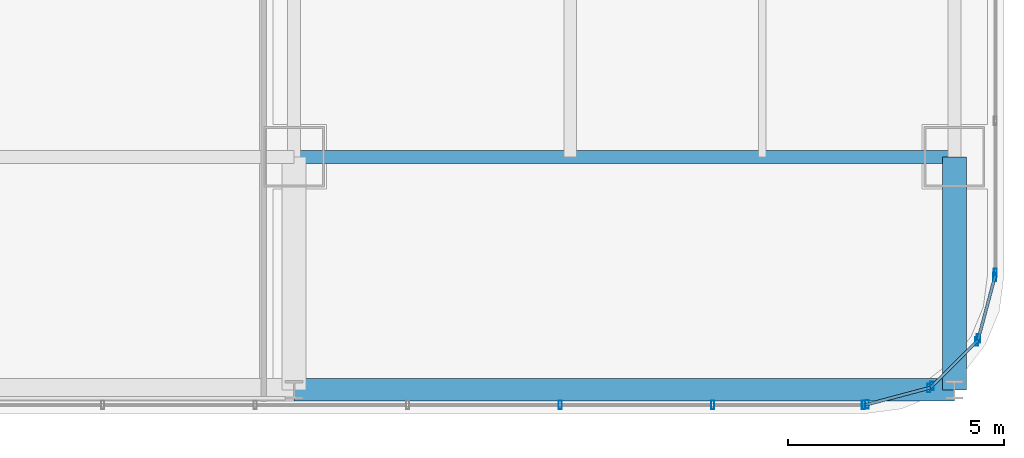
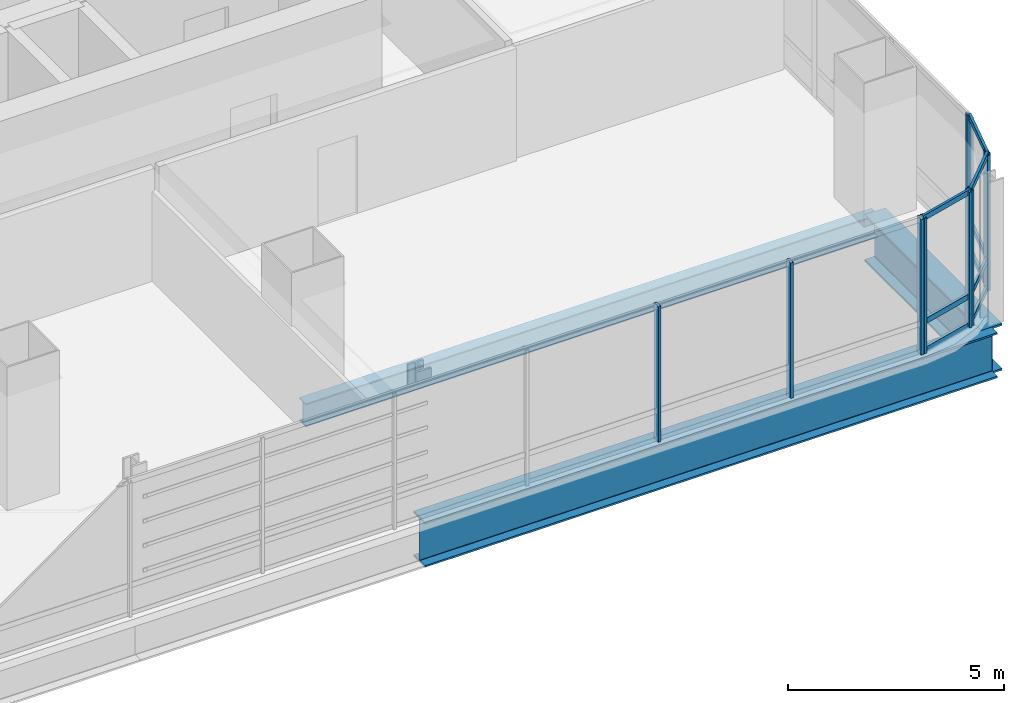
# One storey, part 13 of 36: 19 members, 3 beams, 5 elements without a shape of their own.
"""IFC4 building model written with IfcOpenShell, lengths in metres."""

from ifc_helpers import new_model, si_unit, direction, frame, origin, origin_2d, place, context, subcontext, project, spatial, hollow_rectangle, i_section, extrude, material, material_profile, profile_set, type_object, element, aggregate, save


model = new_model("IFC4")

# Units and contexts
model_context = context("Model", 3, precision=1e-05, world=origin(), true_north=direction((0.0, 1.0)))
body_context = subcontext(model_context, "Body", "Model", "MODEL_VIEW")
ifc_project = project(units=[si_unit("LENGTHUNIT", "METRE"), si_unit("AREAUNIT", "SQUARE_METRE"), si_unit("VOLUMEUNIT", "CUBIC_METRE"), si_unit("PLANEANGLEUNIT", "RADIAN"), si_unit("MASSUNIT", "GRAM", prefix="KILO")], contexts=[model_context])

# Site, building, storey
site_placement = place(None, origin())
site = spatial("IfcSite", under=ifc_project, at=site_placement, CompositionType="ELEMENT")
building_placement = place(site_placement, origin())
building = spatial("IfcBuilding", under=site, at=building_placement, Name="Punatoya Terracotta Tower", CompositionType="ELEMENT")
storey_placement = place(building_placement, frame((0.0, 0.0, 176.25)))
storey = spatial("IfcBuildingStorey", under=building, at=storey_placement, Name="L41", CompositionType="ELEMENT", Elevation=176.25)

# Beams
ifc_material_1 = material(Name="Steel S355", Category="steel")
ifc_material_profile_1 = material_profile(ifc_material_1, i_section(OverallWidth=0.300048828125, OverallDepth=0.64990234375, WebThickness=0.01611328125, FlangeThickness=0.031005859375, FilletRadius=0.01806640625, at=origin_2d()))
ifc_profile_set_1 = profile_set([ifc_material_profile_1], Name="Steel S355")
beam_type_1 = type_object("IfcBeamType", Name="BM-PRI-650", PredefinedType="BEAM", material=ifc_profile_set_1)
beam_1_placement = place(storey_placement, frame((3.800048828125, -17.5, -0.544921875), z_axis=(1.0, 0.0, 0.0), x_axis=(0.0, 1.0, 0.0)))
element("IfcBeam", 1, at=beam_1_placement, inside=storey, type_object=beam_type_1, Name="BM-L41-RG-S3", PredefinedType="BEAM", context=body_context, shape_type="SweptSolid", body=[
    extrude(i_section(OverallWidth=0.300048828125, OverallDepth=0.64990234375, WebThickness=0.01611328125, FlangeThickness=0.031005859375, FilletRadius=0.01806640625, at=origin_2d()), origin(), (0.0, 0.0, 1.0), 15.300048828125),
])
ifc_material_2 = material(Name="Steel S460", Category="steel")
ifc_material_profile_2 = material_profile(ifc_material_2, i_section(OverallWidth=0.56005859375, OverallDepth=1.320068359375, WebThickness=0.035888671875, FlangeThickness=0.054931640625, FilletRadius=0.01806640625, at=origin_2d()))
ifc_profile_set_2 = profile_set([ifc_material_profile_2], Name="Steel S460")
beam_type_2 = type_object("IfcBeamType", Name="BM-TG-BLK", PredefinedType="BEAM", material=ifc_profile_set_2)
beam_2_placement = place(storey_placement, frame((19.10009765625, -22.89990234375, -0.8798828125), z_axis=(0.0, 1.0, 0.0), x_axis=(-1.0, 0.0, 0.0)))
element("IfcBeam", 2, at=beam_2_placement, inside=storey, type_object=beam_type_2, Name="BM-L41-CANT-S4", PredefinedType="BEAM", context=body_context, shape_type="SweptSolid", body=[
    extrude(i_section(OverallWidth=0.56005859375, OverallDepth=1.320068359375, WebThickness=0.035888671875, FlangeThickness=0.054931640625, FilletRadius=0.01806640625, at=origin_2d()), origin(), (0.0, 0.0, 1.0), 5.39990234375),
])
ifc_material_profile_3 = material_profile(ifc_material_2, i_section(OverallWidth=0.52001953125, OverallDepth=1.280029296875, WebThickness=0.031982421875, FlangeThickness=0.050048828125, FilletRadius=0.01806640625, at=origin_2d()))
ifc_profile_set_3 = profile_set([ifc_material_profile_3], Name="Steel S460")
beam_type_3 = type_object("IfcBeamType", Name="BM-TG-NCK", PredefinedType="BEAM", material=ifc_profile_set_3)
beam_3_placement = place(storey_placement, frame((3.800048828125, -22.89990234375, -0.860107421875), z_axis=(1.0, 0.0, 0.0), x_axis=(0.0, 1.0, 0.0)))
element("IfcBeam", 3, at=beam_3_placement, inside=storey, type_object=beam_type_3, Name="BM-L41-PER-S3", PredefinedType="BEAM", context=body_context, shape_type="SweptSolid", body=[
    extrude(i_section(OverallWidth=0.52001953125, OverallDepth=1.280029296875, WebThickness=0.031982421875, FlangeThickness=0.050048828125, FilletRadius=0.01806640625, at=origin_2d()), origin(), (0.0, 0.0, 1.0), 15.300048828125),
])

# Curtain wall, members
ifc_material_3 = material(Name="Aluminium 6063-T6 + Double Low-E Glass", Category="aluminium")
curtain_wall_type = type_object("IfcCurtainWallType", Name="CW-M2", PredefinedType="NOTDEFINED", material=ifc_material_3)
curtain_wall_1_placement = place(storey_placement, origin())
curtain_wall_1 = element("IfcCurtainWall", 4, at=curtain_wall_1_placement, inside=storey, type_object=curtain_wall_type, Name="L41 Curtain Wall CW-L41-S01-1", PredefinedType="NOTDEFINED")
ifc_material_4 = material(Name="Aluminium 6063-T6", Category="aluminium")
ifc_material_profile_4 = material_profile(ifc_material_4, hollow_rectangle(XDim=0.072021484375, YDim=0.195068359375, WallThickness=0.00439453125, at=origin_2d()))
ifc_profile_set_4 = profile_set([ifc_material_profile_4], Name="Aluminium 6063-T6")
member_type_1 = type_object("IfcMemberType", Name="CW-MUL-M2", PredefinedType="MULLION", material=ifc_profile_set_4)
member_1_placement = place(storey_placement, frame((9.968994140625, -23.25, 0.0), z_axis=(0.0, 0.0, 1.0), x_axis=(1.0, 0.0, 0.0)))
member_1 = element("IfcMember", 5, at=member_1_placement, type_object=member_type_1, Name="CW-L41-S01-1 Mullion 09", PredefinedType="MULLION", context=body_context, shape_type="SweptSolid", body=[
    extrude(hollow_rectangle(XDim=0.072021484375, YDim=0.195068359375, WallThickness=0.00439453125, at=origin_2d()), origin(), (0.0, 0.0, 1.0), 3.830078125),
])
member_2_placement = place(storey_placement, frame((13.5029296875, -23.25, 0.0), z_axis=(0.0, 0.0, 1.0), x_axis=(1.0, 0.0, 0.0)))
member_2 = element("IfcMember", 6, at=member_2_placement, type_object=member_type_1, Name="CW-L41-S01-1 Mullion 10", PredefinedType="MULLION", context=body_context, shape_type="SweptSolid", body=[
    extrude(hollow_rectangle(XDim=0.072021484375, YDim=0.195068359375, WallThickness=0.00439453125, at=origin_2d()), origin(), (0.0, 0.0, 1.0), 3.830078125),
])
member_3_placement = place(storey_placement, frame((16.991943359375, -23.25, 0.0), z_axis=(0.0, 0.0, 1.0), x_axis=(1.0, 0.0, 0.0)))
member_3 = element("IfcMember", 7, at=member_3_placement, type_object=member_type_1, Name="CW-L41-S01-1 Mullion 11", PredefinedType="MULLION", context=body_context, shape_type="SweptSolid", body=[
    extrude(hollow_rectangle(XDim=0.072021484375, YDim=0.195068359375, WallThickness=0.00439453125, at=origin_2d()), origin(), (0.0, 0.0, 1.0), 3.830078125),
])
aggregate(curtain_wall_1, [member_1, member_2, member_3])

curtain_wall_2_placement = place(storey_placement, origin())
curtain_wall_2 = element("IfcCurtainWall", 8, at=curtain_wall_2_placement, inside=storey, type_object=curtain_wall_type, Name="L41 Curtain Wall CW-L41-CRN02", PredefinedType="NOTDEFINED")
member_4_placement = place(storey_placement, frame((17.080322265625, -23.23828125, 0.0), z_axis=(0.0, 0.0, 1.0), x_axis=(1.0, 0.0, 0.0)))
member_4 = element("IfcMember", 9, at=member_4_placement, type_object=member_type_1, Name="CW-L41-CRN02 Mullion 00", PredefinedType="MULLION", context=body_context, shape_type="SweptSolid", body=[
    extrude(hollow_rectangle(XDim=0.072021484375, YDim=0.195068359375, WallThickness=0.00439453125, at=origin_2d()), origin(), (0.0, 0.0, 1.0), 3.830078125),
])
member_5_placement = place(storey_placement, frame((18.505615234375, -22.858154296875, 0.0), z_axis=(0.0, 0.0, 1.0), x_axis=(1.0, 0.0, 0.0)))
member_5 = element("IfcMember", 10, at=member_5_placement, type_object=member_type_1, Name="CW-L41-CRN02 Mullion 01", PredefinedType="MULLION", context=body_context, shape_type="SweptSolid", body=[
    extrude(hollow_rectangle(XDim=0.072021484375, YDim=0.195068359375, WallThickness=0.00439453125, at=origin_2d()), origin(), (0.0, 0.0, 1.0), 3.830078125),
])

curtain_wall_3_placement = place(storey_placement, origin())
curtain_wall_3 = element("IfcCurtainWall", 11, at=curtain_wall_3_placement, inside=storey, type_object=curtain_wall_type, Name="L41 Curtain Wall CW-L41-CRN03", PredefinedType="NOTDEFINED")
member_6_placement = place(storey_placement, frame((18.580810546875, -22.814697265625, 0.0), z_axis=(0.0, 0.0, 1.0), x_axis=(1.0, 0.0, 0.0)))
member_6 = element("IfcMember", 12, at=member_6_placement, type_object=member_type_1, Name="CW-L41-CRN03 Mullion 00", PredefinedType="MULLION", context=body_context, shape_type="SweptSolid", body=[
    extrude(hollow_rectangle(XDim=0.072021484375, YDim=0.195068359375, WallThickness=0.00439453125, at=origin_2d()), origin(), (0.0, 0.0, 1.0), 3.830078125),
])
member_7_placement = place(storey_placement, frame((19.61474609375, -21.781005859375, 0.0), z_axis=(0.0, 0.0, 1.0), x_axis=(1.0, 0.0, 0.0)))
member_7 = element("IfcMember", 13, at=member_7_placement, type_object=member_type_1, Name="CW-L41-CRN03 Mullion 01", PredefinedType="MULLION", context=body_context, shape_type="SweptSolid", body=[
    extrude(hollow_rectangle(XDim=0.072021484375, YDim=0.195068359375, WallThickness=0.00439453125, at=origin_2d()), origin(), (0.0, 0.0, 1.0), 3.830078125),
])

curtain_wall_4_placement = place(storey_placement, origin())
curtain_wall_4 = element("IfcCurtainWall", 14, at=curtain_wall_4_placement, inside=storey, type_object=curtain_wall_type, Name="L41 Curtain Wall CW-L41-CRN04", PredefinedType="NOTDEFINED")
member_8_placement = place(storey_placement, frame((19.658203125, -21.70556640625, 0.0), z_axis=(0.0, 0.0, 1.0), x_axis=(1.0, 0.0, 0.0)))
member_8 = element("IfcMember", 15, at=member_8_placement, type_object=member_type_1, Name="CW-L41-CRN04 Mullion 00", PredefinedType="MULLION", context=body_context, shape_type="SweptSolid", body=[
    extrude(hollow_rectangle(XDim=0.072021484375, YDim=0.195068359375, WallThickness=0.00439453125, at=origin_2d()), origin(), (0.0, 0.0, 1.0), 3.830078125),
])
member_9_placement = place(storey_placement, frame((20.038330078125, -20.280517578125, 0.0), z_axis=(0.0, 0.0, 1.0), x_axis=(1.0, 0.0, 0.0)))
member_9 = element("IfcMember", 16, at=member_9_placement, type_object=member_type_1, Name="CW-L41-CRN04 Mullion 01", PredefinedType="MULLION", context=body_context, shape_type="SweptSolid", body=[
    extrude(hollow_rectangle(XDim=0.072021484375, YDim=0.195068359375, WallThickness=0.00439453125, at=origin_2d()), origin(), (0.0, 0.0, 1.0), 3.830078125),
])

# Curtain wall, member
curtain_wall_5_placement = place(storey_placement, origin())
curtain_wall_5 = element("IfcCurtainWall", 17, at=curtain_wall_5_placement, inside=storey, type_object=curtain_wall_type, Name="L41 Curtain Wall CW-L41-E05-1", PredefinedType="NOTDEFINED")
member_10_placement = place(storey_placement, frame((20.050048828125, -20.19189453125, 0.0), z_axis=(0.0, 0.0, 1.0), x_axis=(1.0, 0.0, 0.0)))
member_10 = element("IfcMember", 18, at=member_10_placement, type_object=member_type_1, Name="CW-L41-E05-1 Mullion 00", PredefinedType="MULLION", context=body_context, shape_type="SweptSolid", body=[
    extrude(hollow_rectangle(XDim=0.072021484375, YDim=0.195068359375, WallThickness=0.00439453125, at=origin_2d()), origin(), (0.0, 0.0, 1.0), 3.830078125),
])
aggregate(curtain_wall_5, [member_10])

# Member
ifc_material_profile_5 = material_profile(ifc_material_4, hollow_rectangle(XDim=0.068115234375, YDim=0.14990234375, WallThickness=0.00390625, at=origin_2d()))
ifc_profile_set_5 = profile_set([ifc_material_profile_5], Name="Aluminium 6063-T6")
member_type_2 = type_object("IfcMemberType", Name="CW-TRN-TYP", PredefinedType="USERDEFINED", material=ifc_profile_set_5)
member_11_placement = place(storey_placement, frame((17.036865234375, -23.25, 0.0400390625), z_axis=(0.966224582397, 0.257701486942, 0.0), x_axis=(-0.257701486942, 0.966224582397, 0.0)))
member_11 = element("IfcMember", 19, at=member_11_placement, type_object=member_type_2, Name="CW-L41-CRN02 Transom 1", ObjectType="TRANSOM", PredefinedType="USERDEFINED", context=body_context, shape_type="SweptSolid", body=[
    extrude(hollow_rectangle(XDim=0.068115234375, YDim=0.14990234375, WallThickness=0.00390625, at=origin_2d()), origin(), (0.0, 0.0, 1.0), 1.565185546875),
])

member_12_placement = place(storey_placement, frame((17.036865234375, -23.25, 0.85009765625), z_axis=(0.966224582397, 0.257701486942, 0.0), x_axis=(-0.257701486942, 0.966224582397, 0.0)))
member_12 = element("IfcMember", 20, at=member_12_placement, type_object=member_type_2, Name="CW-L41-CRN02 Transom 2", ObjectType="TRANSOM", PredefinedType="USERDEFINED", context=body_context, shape_type="SweptSolid", body=[
    extrude(hollow_rectangle(XDim=0.068115234375, YDim=0.14990234375, WallThickness=0.00390625, at=origin_2d()), origin(), (0.0, 0.0, 1.0), 1.565185546875),
])

member_13_placement = place(storey_placement, frame((17.036865234375, -23.25, 3.7900390625), z_axis=(0.966224582397, 0.257701486942, 0.0), x_axis=(-0.257701486942, 0.966224582397, 0.0)))
member_13 = element("IfcMember", 21, at=member_13_placement, type_object=member_type_2, Name="CW-L41-CRN02 Transom 3", ObjectType="TRANSOM", PredefinedType="USERDEFINED", context=body_context, shape_type="SweptSolid", body=[
    extrude(hollow_rectangle(XDim=0.068115234375, YDim=0.14990234375, WallThickness=0.00390625, at=origin_2d()), origin(), (0.0, 0.0, 1.0), 1.565185546875),
])

aggregate(curtain_wall_2, [member_4, member_5, member_11, member_12, member_13])

member_14_placement = place(storey_placement, frame((18.549072265625, -22.8466796875, 0.0400390625), z_axis=(0.707028130747, 0.707185422879, 0.0), x_axis=(-0.707185422879, 0.707028130747, 0.0)))
member_14 = element("IfcMember", 22, at=member_14_placement, type_object=member_type_2, Name="CW-L41-CRN03 Transom 1", ObjectType="TRANSOM", PredefinedType="USERDEFINED", context=body_context, shape_type="SweptSolid", body=[
    extrude(hollow_rectangle(XDim=0.068115234375, YDim=0.14990234375, WallThickness=0.00390625, at=origin_2d()), origin(), (0.0, 0.0, 1.0), 1.55224609375),
])

member_15_placement = place(storey_placement, frame((18.549072265625, -22.8466796875, 0.85009765625), z_axis=(0.707028130747, 0.707185422879, 0.0), x_axis=(-0.707185422879, 0.707028130747, 0.0)))
member_15 = element("IfcMember", 23, at=member_15_placement, type_object=member_type_2, Name="CW-L41-CRN03 Transom 2", ObjectType="TRANSOM", PredefinedType="USERDEFINED", context=body_context, shape_type="SweptSolid", body=[
    extrude(hollow_rectangle(XDim=0.068115234375, YDim=0.14990234375, WallThickness=0.00390625, at=origin_2d()), origin(), (0.0, 0.0, 1.0), 1.55224609375),
])

member_16_placement = place(storey_placement, frame((18.549072265625, -22.8466796875, 3.7900390625), z_axis=(0.707028130747, 0.707185422879, 0.0), x_axis=(-0.707185422879, 0.707028130747, 0.0)))
member_16 = element("IfcMember", 24, at=member_16_placement, type_object=member_type_2, Name="CW-L41-CRN03 Transom 3", ObjectType="TRANSOM", PredefinedType="USERDEFINED", context=body_context, shape_type="SweptSolid", body=[
    extrude(hollow_rectangle(XDim=0.068115234375, YDim=0.14990234375, WallThickness=0.00390625, at=origin_2d()), origin(), (0.0, 0.0, 1.0), 1.55224609375),
])

aggregate(curtain_wall_3, [member_6, member_7, member_14, member_15, member_16])

member_17_placement = place(storey_placement, frame((19.646484375, -21.7490234375, 0.0400390625), z_axis=(0.257847112249, 0.966185730957, 0.0), x_axis=(-0.966185730957, 0.257847112249, 0.0)))
member_17 = element("IfcMember", 25, at=member_17_placement, type_object=member_type_2, Name="CW-L41-CRN04 Transom 1", ObjectType="TRANSOM", PredefinedType="USERDEFINED", context=body_context, shape_type="SweptSolid", body=[
    extrude(hollow_rectangle(XDim=0.068115234375, YDim=0.14990234375, WallThickness=0.00390625, at=origin_2d()), origin(), (0.0, 0.0, 1.0), 1.565185546875),
])

member_18_placement = place(storey_placement, frame((19.646484375, -21.7490234375, 0.85009765625), z_axis=(0.257847112249, 0.966185730957, 0.0), x_axis=(-0.966185730957, 0.257847112249, 0.0)))
member_18 = element("IfcMember", 26, at=member_18_placement, type_object=member_type_2, Name="CW-L41-CRN04 Transom 2", ObjectType="TRANSOM", PredefinedType="USERDEFINED", context=body_context, shape_type="SweptSolid", body=[
    extrude(hollow_rectangle(XDim=0.068115234375, YDim=0.14990234375, WallThickness=0.00390625, at=origin_2d()), origin(), (0.0, 0.0, 1.0), 1.565185546875),
])

member_19_placement = place(storey_placement, frame((19.646484375, -21.7490234375, 3.7900390625), z_axis=(0.257847112249, 0.966185730957, 0.0), x_axis=(-0.966185730957, 0.257847112249, 0.0)))
member_19 = element("IfcMember", 27, at=member_19_placement, type_object=member_type_2, Name="CW-L41-CRN04 Transom 3", ObjectType="TRANSOM", PredefinedType="USERDEFINED", context=body_context, shape_type="SweptSolid", body=[
    extrude(hollow_rectangle(XDim=0.068115234375, YDim=0.14990234375, WallThickness=0.00390625, at=origin_2d()), origin(), (0.0, 0.0, 1.0), 1.565185546875),
])

aggregate(curtain_wall_4, [member_8, member_9, member_17, member_18, member_19])

save(model, "model.ifc")
